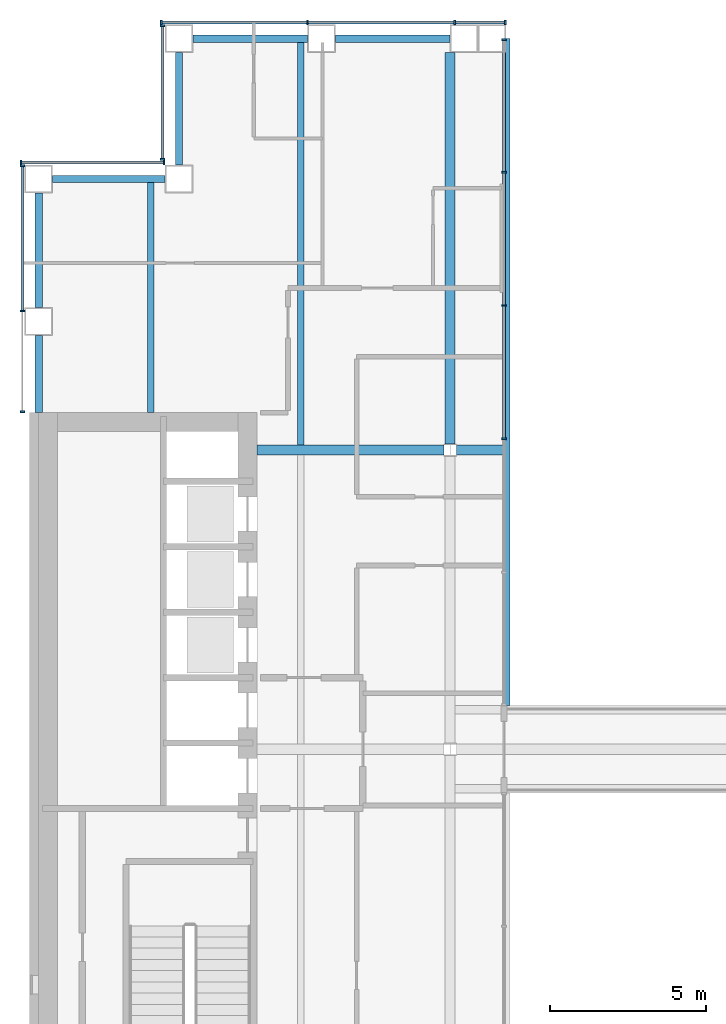
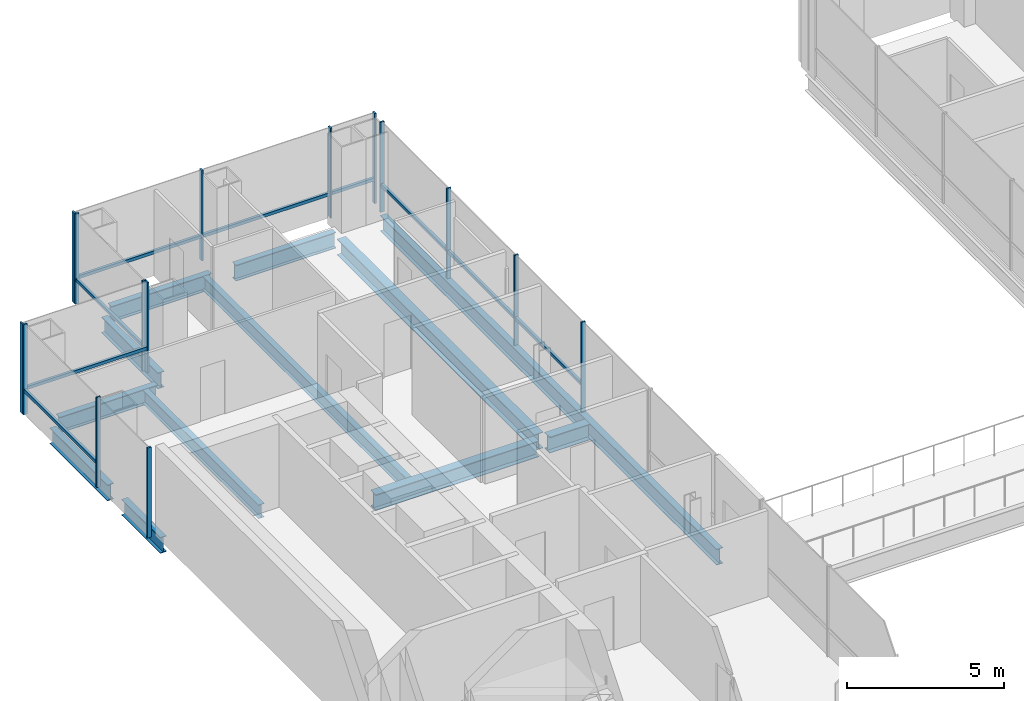
# One storey, part 7 of 16: 24 members, 12 beams, 5 elements without a shape of their own.
"""IFC4 building model written with IfcOpenShell, lengths in metres."""

from ifc_helpers import new_model, si_unit, direction, frame, origin, origin_2d, place, context, subcontext, project, spatial, rectangle, i_section, extrude, material, material_profile, profile_set, type_object, element, aggregate, save


model = new_model("IFC4")

# Units and contexts
model_context = context("Model", 3, precision=1e-05, world=origin(), true_north=direction((0.0, 1.0)))
body_context = subcontext(model_context, "Body", "Model", "MODEL_VIEW")
ifc_project = project(units=[si_unit("LENGTHUNIT", "METRE"), si_unit("AREAUNIT", "SQUARE_METRE"), si_unit("VOLUMEUNIT", "CUBIC_METRE"), si_unit("PLANEANGLEUNIT", "RADIAN"), si_unit("MASSUNIT", "GRAM", prefix="KILO")], contexts=[model_context])

# Site, building, storey
site_placement = place(None, origin())
site = spatial("IfcSite", under=ifc_project, at=site_placement, CompositionType="ELEMENT")
building_placement = place(site_placement, origin())
building = spatial("IfcBuilding", under=site, at=building_placement, Name="Cobrizo Arcos Hotel Tower", CompositionType="ELEMENT")
storey_placement = place(building_placement, frame((0.0, 0.0, 120.5)))
storey = spatial("IfcBuildingStorey", under=building, at=storey_placement, Name="L30", CompositionType="ELEMENT", Elevation=120.5)

# Curtain wall, members
ifc_material_1 = material(Name="Aluminium 6063-T6 anodised bronze", Category="aluminium")
curtain_wall_type_1 = type_object("IfcCurtainWallType", Name="CW-A guest facade", PredefinedType="NOTDEFINED", material=ifc_material_1)
curtain_wall_1_placement = place(storey_placement, origin())
curtain_wall_1 = element("IfcCurtainWall", 1, at=curtain_wall_1_placement, inside=storey, type_object=curtain_wall_type_1, Name="CW-A L30 N face", PredefinedType="NOTDEFINED")
ifc_material_profile_1 = material_profile(ifc_material_1, rectangle(XDim=0.14990234375, YDim=0.06005859375, at=origin_2d()), Name="CW-A mullion 150x60")
ifc_profile_set_1 = profile_set([ifc_material_profile_1], Name="Aluminium 6063-T6 anodised bronze")
member_type_1 = type_object("IfcMemberType", Name="CW-A mullion 150x60", PredefinedType="MULLION", material=ifc_profile_set_1)
member_1_placement = place(storey_placement, frame((-7.830078125, 23.324951171875, 0.0), z_axis=(0.0, 0.0, 1.0), x_axis=(0.0, 1.0, 0.0)))
member_1 = element("IfcMember", 2, at=member_1_placement, type_object=member_type_1, Name="CW-A mullion 1", PredefinedType="MULLION", context=body_context, shape_type="SweptSolid", body=[
    extrude(rectangle(XDim=0.14990234375, YDim=0.06005859375, at=origin_2d()), origin(), (0.0, 0.0, 1.0), 3.5),
])
member_2_placement = place(storey_placement, frame((-9.449951171875, 23.324951171875, 0.0), z_axis=(0.0, 0.0, 1.0), x_axis=(0.0, 1.0, 0.0)))
member_2 = element("IfcMember", 3, at=member_2_placement, type_object=member_type_1, Name="CW-A mullion 2", PredefinedType="MULLION", context=body_context, shape_type="SweptSolid", body=[
    extrude(rectangle(XDim=0.14990234375, YDim=0.06005859375, at=origin_2d()), origin(), (0.0, 0.0, 1.0), 3.5),
])
member_3_placement = place(storey_placement, frame((-14.175048828125, 23.324951171875, 0.0), z_axis=(0.0, 0.0, 1.0), x_axis=(0.0, 1.0, 0.0)))
member_3 = element("IfcMember", 4, at=member_3_placement, type_object=member_type_1, Name="CW-A mullion 3", PredefinedType="MULLION", context=body_context, shape_type="SweptSolid", body=[
    extrude(rectangle(XDim=0.14990234375, YDim=0.06005859375, at=origin_2d()), origin(), (0.0, 0.0, 1.0), 3.5),
])
member_4_placement = place(storey_placement, frame((-18.8701171875, 23.324951171875, 0.0), z_axis=(0.0, 0.0, 1.0), x_axis=(0.0, 1.0, 0.0)))
member_4 = element("IfcMember", 5, at=member_4_placement, type_object=member_type_1, Name="CW-A mullion 4", PredefinedType="MULLION", context=body_context, shape_type="SweptSolid", body=[
    extrude(rectangle(XDim=0.14990234375, YDim=0.06005859375, at=origin_2d()), origin(), (0.0, 0.0, 1.0), 3.5),
])

curtain_wall_2_placement = place(storey_placement, origin())
curtain_wall_2 = element("IfcCurtainWall", 6, at=curtain_wall_2_placement, inside=storey, type_object=curtain_wall_type_1, Name="CW-A L30 W face", PredefinedType="NOTDEFINED")
member_5_placement = place(storey_placement, frame((-18.824951171875, 23.219970703125, 0.0), z_axis=(0.0, 0.0, 1.0), x_axis=(-1.0, 0.0, 0.0)))
member_5 = element("IfcMember", 7, at=member_5_placement, type_object=member_type_1, Name="CW-A mullion 1", PredefinedType="MULLION", context=body_context, shape_type="SweptSolid", body=[
    extrude(rectangle(XDim=0.14990234375, YDim=0.06005859375, at=origin_2d()), origin(), (0.0, 0.0, 1.0), 3.5),
])
member_6_placement = place(storey_placement, frame((-18.824951171875, 18.929931640625, 0.0), z_axis=(0.0, 0.0, 1.0), x_axis=(-1.0, 0.0, 0.0)))
member_6 = element("IfcMember", 8, at=member_6_placement, type_object=member_type_1, Name="CW-A mullion 2", PredefinedType="MULLION", context=body_context, shape_type="SweptSolid", body=[
    extrude(rectangle(XDim=0.14990234375, YDim=0.06005859375, at=origin_2d()), origin(), (0.0, 0.0, 1.0), 3.5),
])

curtain_wall_3_placement = place(storey_placement, origin())
curtain_wall_3 = element("IfcCurtainWall", 9, at=curtain_wall_3_placement, inside=storey, type_object=curtain_wall_type_1, Name="CW-A L30 N face", PredefinedType="NOTDEFINED")
member_7_placement = place(storey_placement, frame((-18.780029296875, 18.824951171875, 0.0), z_axis=(0.0, 0.0, 1.0), x_axis=(0.0, 1.0, 0.0)))
member_7 = element("IfcMember", 10, at=member_7_placement, type_object=member_type_1, Name="CW-A mullion 1", PredefinedType="MULLION", context=body_context, shape_type="SweptSolid", body=[
    extrude(rectangle(XDim=0.14990234375, YDim=0.06005859375, at=origin_2d()), origin(), (0.0, 0.0, 1.0), 3.5),
])
member_8_placement = place(storey_placement, frame((-23.3701171875, 18.824951171875, 0.0), z_axis=(0.0, 0.0, 1.0), x_axis=(0.0, 1.0, 0.0)))
member_8 = element("IfcMember", 11, at=member_8_placement, type_object=member_type_1, Name="CW-A mullion 2", PredefinedType="MULLION", context=body_context, shape_type="SweptSolid", body=[
    extrude(rectangle(XDim=0.14990234375, YDim=0.06005859375, at=origin_2d()), origin(), (0.0, 0.0, 1.0), 3.5),
])

curtain_wall_4_placement = place(storey_placement, origin())
curtain_wall_4 = element("IfcCurtainWall", 12, at=curtain_wall_4_placement, inside=storey, type_object=curtain_wall_type_1, Name="CW-A L30 W face", PredefinedType="NOTDEFINED")
member_9_placement = place(storey_placement, frame((-23.324951171875, 18.719970703125, 0.0), z_axis=(0.0, 0.0, 1.0), x_axis=(-1.0, 0.0, 0.0)))
member_9 = element("IfcMember", 13, at=member_9_placement, type_object=member_type_1, Name="CW-A mullion 1", PredefinedType="MULLION", context=body_context, shape_type="SweptSolid", body=[
    extrude(rectangle(XDim=0.14990234375, YDim=0.06005859375, at=origin_2d()), origin(), (0.0, 0.0, 1.0), 3.5),
])
member_10_placement = place(storey_placement, frame((-23.324951171875, 14.0625, 0.0), z_axis=(0.0, 0.0, 1.0), x_axis=(-1.0, 0.0, 0.0)))
member_10 = element("IfcMember", 14, at=member_10_placement, type_object=member_type_1, Name="CW-A mullion 2", PredefinedType="MULLION", context=body_context, shape_type="SweptSolid", body=[
    extrude(rectangle(XDim=0.14990234375, YDim=0.06005859375, at=origin_2d()), origin(), (0.0, 0.0, 1.0), 3.5),
])
member_11_placement = place(storey_placement, frame((-23.324951171875, 10.830078125, 0.0), z_axis=(0.0, 0.0, 1.0), x_axis=(-1.0, 0.0, 0.0)))
member_11 = element("IfcMember", 15, at=member_11_placement, type_object=member_type_1, Name="CW-A mullion 3", PredefinedType="MULLION", context=body_context, shape_type="SweptSolid", body=[
    extrude(rectangle(XDim=0.14990234375, YDim=0.06005859375, at=origin_2d()), origin(), (0.0, 0.0, 1.0), 3.5),
])

# Member
ifc_material_profile_2 = material_profile(ifc_material_1, rectangle(XDim=0.10009765625, YDim=0.1201171875, at=origin_2d()), Name="CW-A transom 120x100")
ifc_profile_set_2 = profile_set([ifc_material_profile_2], Name="Aluminium 6063-T6 anodised bronze")
member_type_2 = type_object("IfcMemberType", Name="CW-A transom 120x100", PredefinedType="USERDEFINED", material=ifc_profile_set_2)
member_12_placement = place(storey_placement, frame((-7.860107421875, 23.324951171875, 0.929931640625), z_axis=(-1.0, 0.0, 0.0), x_axis=(0.0, -1.0, 0.0)))
member_12 = element("IfcMember", 16, at=member_12_placement, type_object=member_type_2, Name="CW-A transom 1152", ObjectType="TRANSOM", PredefinedType="USERDEFINED", context=body_context, shape_type="SweptSolid", body=[
    extrude(rectangle(XDim=0.10009765625, YDim=0.1201171875, at=origin_2d()), origin(), (0.0, 0.0, 1.0), 1.559814453125),
])

member_13_placement = place(storey_placement, frame((-9.47998046875, 23.324951171875, 0.929931640625), z_axis=(-1.0, 0.0, 0.0), x_axis=(0.0, -1.0, 0.0)))
member_13 = element("IfcMember", 17, at=member_13_placement, type_object=member_type_2, Name="CW-A transom 1153", ObjectType="TRANSOM", PredefinedType="USERDEFINED", context=body_context, shape_type="SweptSolid", body=[
    extrude(rectangle(XDim=0.10009765625, YDim=0.1201171875, at=origin_2d()), origin(), (0.0, 0.0, 1.0), 4.6650390625),
])

member_14_placement = place(storey_placement, frame((-14.205078125, 23.324951171875, 0.929931640625), z_axis=(-1.0, 0.0, 0.0), x_axis=(0.0, -1.0, 0.0)))
member_14 = element("IfcMember", 18, at=member_14_placement, type_object=member_type_2, Name="CW-A transom 1154", ObjectType="TRANSOM", PredefinedType="USERDEFINED", context=body_context, shape_type="SweptSolid", body=[
    extrude(rectangle(XDim=0.10009765625, YDim=0.1201171875, at=origin_2d()), origin(), (0.0, 0.0, 1.0), 4.635009765625),
])

aggregate(curtain_wall_1, [member_1, member_2, member_3, member_4, member_12, member_13, member_14])

member_15_placement = place(storey_placement, frame((-18.824951171875, 23.18994140625, 0.929931640625), z_axis=(0.0, -1.0, 0.0), x_axis=(1.0, 0.0, 0.0)))
member_15 = element("IfcMember", 19, at=member_15_placement, type_object=member_type_2, Name="CW-A transom 1155", ObjectType="TRANSOM", PredefinedType="USERDEFINED", context=body_context, shape_type="SweptSolid", body=[
    extrude(rectangle(XDim=0.10009765625, YDim=0.1201171875, at=origin_2d()), origin(), (0.0, 0.0, 1.0), 4.22998046875),
])

aggregate(curtain_wall_2, [member_5, member_6, member_15])

member_16_placement = place(storey_placement, frame((-18.81005859375, 18.824951171875, 0.929931640625), z_axis=(-1.0, 0.0, 0.0), x_axis=(0.0, -1.0, 0.0)))
member_16 = element("IfcMember", 20, at=member_16_placement, type_object=member_type_2, Name="CW-A transom 1156", ObjectType="TRANSOM", PredefinedType="USERDEFINED", context=body_context, shape_type="SweptSolid", body=[
    extrude(rectangle(XDim=0.10009765625, YDim=0.1201171875, at=origin_2d()), origin(), (0.0, 0.0, 1.0), 4.530029296875),
])

aggregate(curtain_wall_3, [member_7, member_8, member_16])

member_17_placement = place(storey_placement, frame((-23.324951171875, 18.68994140625, 0.929931640625), z_axis=(0.0, -1.0, 0.0), x_axis=(1.0, 0.0, 0.0)))
member_17 = element("IfcMember", 21, at=member_17_placement, type_object=member_type_2, Name="CW-A transom 1157", ObjectType="TRANSOM", PredefinedType="USERDEFINED", context=body_context, shape_type="SweptSolid", body=[
    extrude(rectangle(XDim=0.10009765625, YDim=0.1201171875, at=origin_2d()), origin(), (0.0, 0.0, 1.0), 4.597412109375),
])

aggregate(curtain_wall_4, [member_9, member_10, member_11, member_17])

# Curtain wall, members
curtain_wall_type_2 = type_object("IfcCurtainWallType", Name="CW-F void screen", PredefinedType="NOTDEFINED", material=ifc_material_1)
curtain_wall_5_placement = place(storey_placement, origin())
curtain_wall_5 = element("IfcCurtainWall", 22, at=curtain_wall_5_placement, inside=storey, type_object=curtain_wall_type_2, Name="CW-F L30 void screen B", PredefinedType="NOTDEFINED")
ifc_material_profile_3 = material_profile(ifc_material_1, rectangle(XDim=0.14990234375, YDim=0.06005859375, at=origin_2d()), Name="CW-F mullion 150x60")
ifc_profile_set_3 = profile_set([ifc_material_profile_3], Name="Aluminium 6063-T6 anodised bronze")
member_type_3 = type_object("IfcMemberType", Name="CW-F mullion 150x60", PredefinedType="MULLION", material=ifc_profile_set_3)
member_18_placement = place(storey_placement, frame((-7.875, 22.77001953125, 0.0), z_axis=(0.0, 0.0, 1.0), x_axis=(-1.0, 0.0, 0.0)))
member_18 = element("IfcMember", 23, at=member_18_placement, type_object=member_type_3, Name="CW-F mullion 1", PredefinedType="MULLION", context=body_context, shape_type="SweptSolid", body=[
    extrude(rectangle(XDim=0.14990234375, YDim=0.06005859375, at=origin_2d()), origin(), (0.0, 0.0, 1.0), 3.5),
])
member_19_placement = place(storey_placement, frame((-7.875, 18.52001953125, 0.0), z_axis=(0.0, 0.0, 1.0), x_axis=(-1.0, 0.0, 0.0)))
member_19 = element("IfcMember", 24, at=member_19_placement, type_object=member_type_3, Name="CW-F mullion 2", PredefinedType="MULLION", context=body_context, shape_type="SweptSolid", body=[
    extrude(rectangle(XDim=0.14990234375, YDim=0.06005859375, at=origin_2d()), origin(), (0.0, 0.0, 1.0), 3.5),
])
member_20_placement = place(storey_placement, frame((-7.875, 14.239990234375, 0.0), z_axis=(0.0, 0.0, 1.0), x_axis=(-1.0, 0.0, 0.0)))
member_20 = element("IfcMember", 25, at=member_20_placement, type_object=member_type_3, Name="CW-F mullion 3", PredefinedType="MULLION", context=body_context, shape_type="SweptSolid", body=[
    extrude(rectangle(XDim=0.14990234375, YDim=0.06005859375, at=origin_2d()), origin(), (0.0, 0.0, 1.0), 3.5),
])
member_21_placement = place(storey_placement, frame((-7.875, 9.9599609375, 0.0), z_axis=(0.0, 0.0, 1.0), x_axis=(-1.0, 0.0, 0.0)))
member_21 = element("IfcMember", 26, at=member_21_placement, type_object=member_type_3, Name="CW-F mullion 4", PredefinedType="MULLION", context=body_context, shape_type="SweptSolid", body=[
    extrude(rectangle(XDim=0.14990234375, YDim=0.06005859375, at=origin_2d()), origin(), (0.0, 0.0, 1.0), 3.5),
])
ifc_material_profile_4 = material_profile(ifc_material_1, rectangle(XDim=0.10009765625, YDim=0.1201171875, at=origin_2d()), Name="CW-F transom 120x100")
ifc_profile_set_4 = profile_set([ifc_material_profile_4], Name="Aluminium 6063-T6 anodised bronze")
member_type_4 = type_object("IfcMemberType", Name="CW-F transom 120x100", PredefinedType="USERDEFINED", material=ifc_profile_set_4)
member_22_placement = place(storey_placement, frame((-7.875, 22.739990234375, 1.050048828125), z_axis=(0.0, -1.0, 0.0), x_axis=(1.0, 0.0, 0.0)))
member_22 = element("IfcMember", 27, at=member_22_placement, type_object=member_type_4, Name="CW-F transom 2596", ObjectType="TRANSOM", PredefinedType="USERDEFINED", context=body_context, shape_type="SweptSolid", body=[
    extrude(rectangle(XDim=0.10009765625, YDim=0.1201171875, at=origin_2d()), origin(), (0.0, 0.0, 1.0), 4.18994140625),
])
member_23_placement = place(storey_placement, frame((-7.875, 18.489990234375, 1.050048828125), z_axis=(0.0, -1.0, 0.0), x_axis=(1.0, 0.0, 0.0)))
member_23 = element("IfcMember", 28, at=member_23_placement, type_object=member_type_4, Name="CW-F transom 2597", ObjectType="TRANSOM", PredefinedType="USERDEFINED", context=body_context, shape_type="SweptSolid", body=[
    extrude(rectangle(XDim=0.10009765625, YDim=0.1201171875, at=origin_2d()), origin(), (0.0, 0.0, 1.0), 4.219970703125),
])
member_24_placement = place(storey_placement, frame((-7.875, 14.2099609375, 1.050048828125), z_axis=(0.0, -1.0, 0.0), x_axis=(1.0, 0.0, 0.0)))
member_24 = element("IfcMember", 29, at=member_24_placement, type_object=member_type_4, Name="CW-F transom 2598", ObjectType="TRANSOM", PredefinedType="USERDEFINED", context=body_context, shape_type="SweptSolid", body=[
    extrude(rectangle(XDim=0.10009765625, YDim=0.1201171875, at=origin_2d()), origin(), (0.0, 0.0, 1.0), 4.219970703125),
])
aggregate(curtain_wall_5, [member_18, member_19, member_20, member_21, member_22, member_23, member_24])

# Beams
ifc_material_2 = material(Name="Steel ASTM A992 Grade 50", Category="steel")
ifc_material_profile_5 = material_profile(ifc_material_2, i_section(OverallWidth=0.209228515625, OverallDepth=0.533447265625, WebThickness=0.01025390625, FlangeThickness=0.015625, at=origin_2d()), Name="W21X62")
ifc_profile_set_5 = profile_set([ifc_material_profile_5], Name="Steel ASTM A992 Grade 50")
beam_type_1 = type_object("IfcBeamType", Name="W21X62 joist", PredefinedType="JOIST", material=ifc_profile_set_5)
beam_1_placement = place(storey_placement, frame((-19.199951171875, 10.81005859375, -0.416748046875), z_axis=(0.0, 1.0, 0.0), x_axis=(-1.0, 0.0, 0.0)))
element("IfcBeam", 30, at=beam_1_placement, inside=storey, type_object=beam_type_1, Name="Floor joist J1, L30, no. 002", PredefinedType="JOIST", context=body_context, shape_type="SweptSolid", body=[
    extrude(i_section(OverallWidth=0.209228515625, OverallDepth=0.533447265625, WebThickness=0.01025390625, FlangeThickness=0.015625, at=origin_2d()), origin(), (0.0, 0.0, 1.0), 7.39990234375),
])
beam_2_placement = place(storey_placement, frame((-14.39990234375, 9.763916015625, -0.416748046875), z_axis=(0.0, 1.0, 0.0), x_axis=(-1.0, 0.0, 0.0)))
element("IfcBeam", 31, at=beam_2_placement, inside=storey, type_object=beam_type_1, Name="Floor joist J1, L30, no. 006", PredefinedType="JOIST", context=body_context, shape_type="SweptSolid", body=[
    extrude(i_section(OverallWidth=0.209228515625, OverallDepth=0.533447265625, WebThickness=0.01025390625, FlangeThickness=0.015625, at=origin_2d()), origin(), (0.0, 0.0, 1.0), 12.946044921875),
])
ifc_material_profile_6 = material_profile(ifc_material_2, i_section(OverallWidth=0.32763671875, OverallDepth=0.622314453125, WebThickness=0.015380859375, FlangeThickness=0.0244140625, at=origin_2d()), Name="W24X131")
ifc_profile_set_6 = profile_set([ifc_material_profile_6], Name="Steel ASTM A992 Grade 50")
beam_type_2 = type_object("IfcBeamType", Name="W24X131 girder", PredefinedType="BEAM", material=ifc_profile_set_6)
beam_3_placement = place(storey_placement, frame((-15.7900390625, 9.60009765625, -0.461181640625), z_axis=(1.0, 0.0, 0.0), x_axis=(0.0, 1.0, 0.0)))
element("IfcBeam", 32, at=beam_3_placement, inside=storey, type_object=beam_type_2, Name="Floor girder G1, L30, no. 008", PredefinedType="BEAM", context=body_context, shape_type="SweptSolid", body=[
    extrude(i_section(OverallWidth=0.32763671875, OverallDepth=0.622314453125, WebThickness=0.015380859375, FlangeThickness=0.0244140625, at=origin_2d()), origin(), (0.0, 0.0, 1.0), 5.99072265625),
])
beam_4_placement = place(storey_placement, frame((-9.400634765625, 9.60009765625, -0.461181640625), z_axis=(1.0, 0.0, 0.0), x_axis=(0.0, 1.0, 0.0)))
element("IfcBeam", 33, at=beam_4_placement, inside=storey, type_object=beam_type_2, Name="Floor girder G1, L30, no. 009", PredefinedType="BEAM", context=body_context, shape_type="SweptSolid", body=[
    extrude(i_section(OverallWidth=0.32763671875, OverallDepth=0.622314453125, WebThickness=0.015380859375, FlangeThickness=0.0244140625, at=origin_2d()), origin(), (0.0, 0.0, 1.0), 1.5107421875),
])
beam_5_placement = place(storey_placement, frame((-9.60009765625, 9.79931640625, -0.461181640625), z_axis=(0.0, 1.0, 0.0), x_axis=(-1.0, 0.0, 0.0)))
element("IfcBeam", 34, at=beam_5_placement, inside=storey, type_object=beam_type_2, Name="Floor girder G1, L30, no. 015", PredefinedType="BEAM", context=body_context, shape_type="SweptSolid", body=[
    extrude(i_section(OverallWidth=0.32763671875, OverallDepth=0.622314453125, WebThickness=0.015380859375, FlangeThickness=0.0244140625, at=origin_2d()), origin(), (0.0, 0.0, 1.0), 12.55078125),
])
ifc_material_profile_7 = material_profile(ifc_material_2, i_section(OverallWidth=0.23046875, OverallDepth=0.6171875, WebThickness=0.01318359375, FlangeThickness=0.022216796875, at=origin_2d()), Name="W24X94")
ifc_profile_set_7 = profile_set([ifc_material_profile_7], Name="Steel ASTM A992 Grade 50")
beam_type_3 = type_object("IfcBeamType", Name="W24X94 spandrel", PredefinedType="SPANDREL", material=ifc_profile_set_7)
beam_6_placement = place(storey_placement, frame((-22.800048828125, 10.81005859375, -0.45849609375), z_axis=(0.0, 1.0, 0.0), x_axis=(-1.0, 0.0, 0.0)))
element("IfcBeam", 35, at=beam_6_placement, inside=storey, type_object=beam_type_3, Name="Spandrel beam W24X94, L30, no. 018", PredefinedType="SPANDREL", context=body_context, shape_type="SweptSolid", body=[
    extrude(i_section(OverallWidth=0.23046875, OverallDepth=0.6171875, WebThickness=0.01318359375, FlangeThickness=0.022216796875, at=origin_2d()), origin(), (0.0, 0.0, 1.0), 2.46484375),
])
beam_7_placement = place(storey_placement, frame((-22.800048828125, 14.175048828125, -0.45849609375), z_axis=(0.0, 1.0, 0.0), x_axis=(-1.0, 0.0, 0.0)))
element("IfcBeam", 36, at=beam_7_placement, inside=storey, type_object=beam_type_3, Name="Spandrel beam W24X94, L30, no. 019", PredefinedType="SPANDREL", context=body_context, shape_type="SweptSolid", body=[
    extrude(i_section(OverallWidth=0.23046875, OverallDepth=0.6171875, WebThickness=0.01318359375, FlangeThickness=0.022216796875, at=origin_2d()), origin(), (0.0, 0.0, 1.0), 3.675048828125),
])
for number, where, z_axis, x_axis, name in (
    (37, (-22.35009765625, 18.300048828125, -0.45849609375), (1.0, 0.0, 0.0), (0.0, 1.0, 0.0), "Spandrel beam W24X94, L30, no. 020"),
    (38, (-18.300048828125, 18.75, -0.45849609375), (0.0, 1.0, 0.0), (-1.0, 0.0, 0.0), "Spandrel beam W24X94, L30, no. 021"),
):
    element("IfcBeam", number, at=place(storey_placement, frame(where, z_axis=z_axis, x_axis=x_axis)), inside=storey, type_object=beam_type_3, Name=name, PredefinedType="SPANDREL", context=body_context, shape_type="SweptSolid", body=[
        extrude(i_section(OverallWidth=0.23046875, OverallDepth=0.6171875, WebThickness=0.01318359375, FlangeThickness=0.022216796875, at=origin_2d()), origin(), (0.0, 0.0, 1.0), 3.60009765625),
    ])
beam_8_placement = place(storey_placement, frame((-17.85009765625, 22.800048828125, -0.45849609375), z_axis=(1.0, 0.0, 0.0), x_axis=(0.0, 1.0, 0.0)))
element("IfcBeam", 39, at=beam_8_placement, inside=storey, type_object=beam_type_3, Name="Spandrel beam W24X94, L30, no. 022", PredefinedType="SPANDREL", context=body_context, shape_type="SweptSolid", body=[
    extrude(i_section(OverallWidth=0.23046875, OverallDepth=0.6171875, WebThickness=0.01318359375, FlangeThickness=0.022216796875, at=origin_2d()), origin(), (0.0, 0.0, 1.0), 3.675048828125),
])
beam_9_placement = place(storey_placement, frame((-13.27490234375, 22.800048828125, -0.45849609375), z_axis=(1.0, 0.0, 0.0), x_axis=(0.0, 1.0, 0.0)))
element("IfcBeam", 40, at=beam_9_placement, inside=storey, type_object=beam_type_3, Name="Spandrel beam W24X94, L30, no. 023", PredefinedType="SPANDREL", context=body_context, shape_type="SweptSolid", body=[
    extrude(i_section(OverallWidth=0.23046875, OverallDepth=0.6171875, WebThickness=0.01318359375, FlangeThickness=0.022216796875, at=origin_2d()), origin(), (0.0, 0.0, 1.0), 3.6748046875),
])
beam_10_placement = place(storey_placement, frame((-7.800048828125, 22.800048828125, -0.45849609375), z_axis=(0.0, -1.0, 0.0), x_axis=(1.0, 0.0, 0.0)))
element("IfcBeam", 41, at=beam_10_placement, inside=storey, type_object=beam_type_3, Name="Spandrel beam W24X94, L30, no. 024", PredefinedType="SPANDREL", context=body_context, shape_type="SweptSolid", body=[
    extrude(i_section(OverallWidth=0.23046875, OverallDepth=0.6171875, WebThickness=0.01318359375, FlangeThickness=0.022216796875, at=origin_2d()), origin(), (0.0, 0.0, 1.0), 21.400146484375),
])

save(model, "model.ifc")
